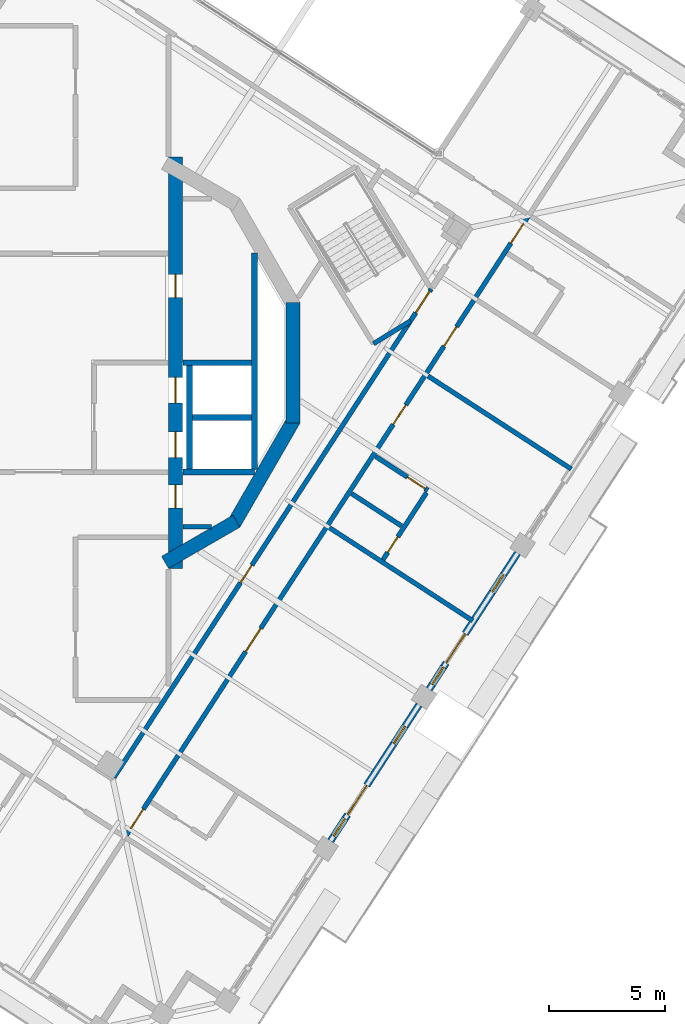
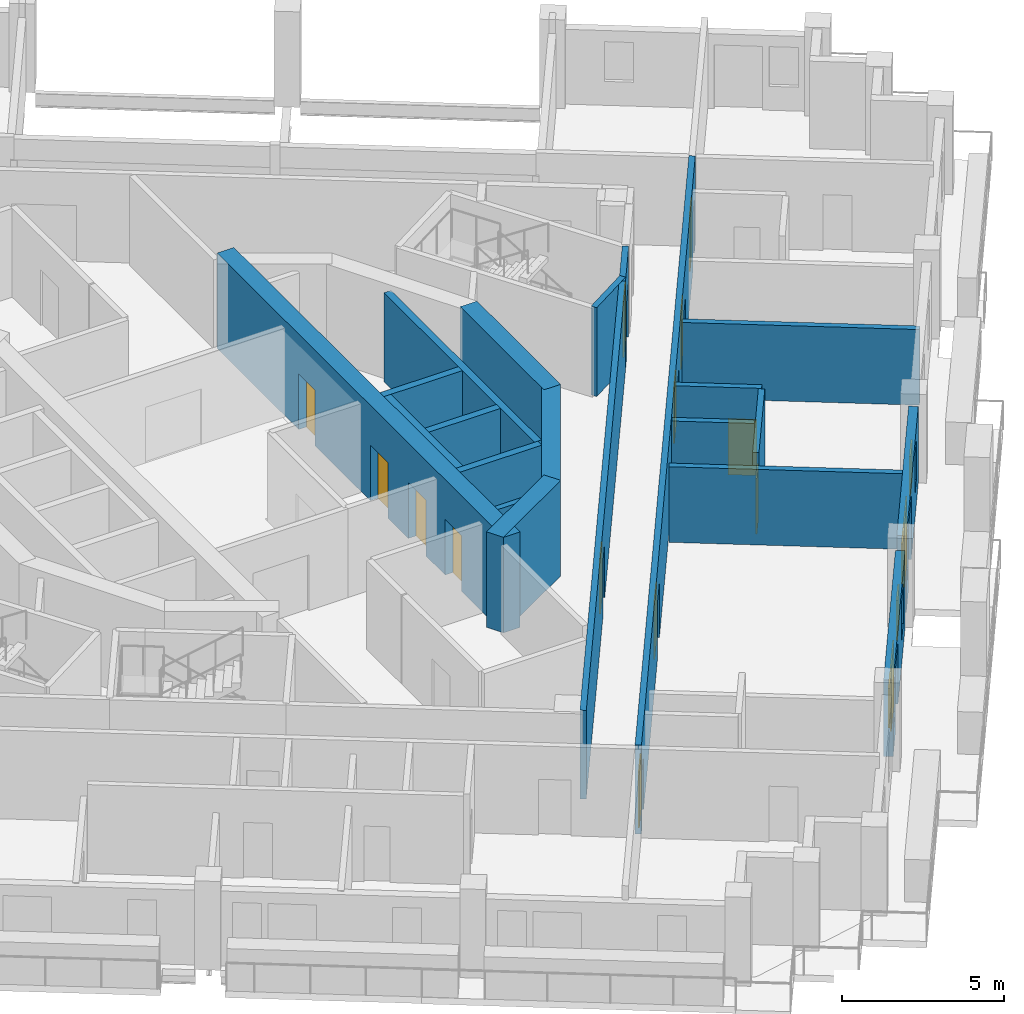
# One storey, part 8 of 17: 21 walls, 15 doors, 4 windows, 19 openings.
"""IFC4 building model written with IfcOpenShell, lengths in metres."""

from ifc_helpers import new_model, si_unit, direction, frame, frame_2d, origin, place, context, subcontext, project, spatial, rectangle, extrude, material, layer, layer_set, type_object, element, fill, save


model = new_model("IFC4")

# Units and contexts
model_context = context("Model", 3, precision=1e-05, world=origin(), true_north=direction((0.0, 1.0)))
body_context = subcontext(model_context, "Body", "Model", "MODEL_VIEW")
ifc_project = project(units=[si_unit("LENGTHUNIT", "METRE"), si_unit("AREAUNIT", "SQUARE_METRE"), si_unit("VOLUMEUNIT", "CUBIC_METRE"), si_unit("PLANEANGLEUNIT", "RADIAN"), si_unit("MASSUNIT", "GRAM", prefix="KILO")], contexts=[model_context])

# Site, building, storey
site_placement = place(None, origin())
site = spatial("IfcSite", under=ifc_project, at=site_placement, CompositionType="ELEMENT")
building_placement = place(site_placement, origin())
building = spatial("IfcBuilding", under=site, at=building_placement, Name="Cantera Rosa Tower", CompositionType="ELEMENT")
storey_placement = place(building_placement, frame((0.0, 0.0, 275.699951171875)))
storey = spatial("IfcBuildingStorey", under=building, at=storey_placement, Name="L62", CompositionType="ELEMENT", Elevation=275.699951171875)

# Wall, opening, door
ifc_material_1 = material(Name="Gypsum board partition")
ifc_layer_1 = layer(ifc_material_1, 0.199951171875)
ifc_layer_set_1 = layer_set([ifc_layer_1], Name="CORRIDOR WALL 200 H3350")
wall_type_1 = type_object("IfcWallType", Name="CORRIDOR WALL 200 H3350", PredefinedType="PARTITIONING", material=ifc_layer_set_1)
wall_1_placement = place(storey_placement, frame((1.656982421875, -17.828857421875, 0.0), z_axis=(0.0, 0.0, 1.0), x_axis=(0.544640309195, 0.838669740482, 0.0)))
wall_1 = element("IfcWall", 1, at=wall_1_placement, inside=storey, type_object=wall_type_1, Name="CORRIDOR WALL L62-063", PredefinedType="PARTITIONING", context=body_context, shape_type="SweptSolid", body=[
    extrude(rectangle(XDim=23.1552734375, YDim=0.199951171875, at=frame_2d((11.57763671875, 0.0))), origin(), (0.0, 0.0, 1.0), 3.35009765625),
])
opening_1_placement = place(wall_1_placement, frame((9.984619140625, 0.0, 0.0)))
opening_1 = element("IfcOpeningElement", 2, at=opening_1_placement, cuts=wall_1, Name="Opening L62-005", PredefinedType="OPENING", context=body_context, shape_type="SweptSolid", body=[
    extrude(rectangle(XDim=0.89990234375, YDim=2.10009765625, at=frame_2d((0.449951171875, 1.050048828125))), frame((0.0, 0.10986328125, 0.0), z_axis=(0.0, -1.0, 0.0), x_axis=(1.0, 0.0, 0.0)), (0.0, 0.0, 1.0), 0.219970703125),
])
ifc_material_2 = material(Name="Timber door leaf", Category="wood")
door_type_1 = type_object("IfcDoorType", Name="SERVICE DOOR 900x2100", OperationType="NOTDEFINED", PredefinedType="DOOR", material=ifc_material_2)
door_1_placement = place(opening_1_placement, origin())
door_1 = element("IfcDoor", 3, at=door_1_placement, inside=storey, type_object=door_type_1, Name="DOOR L62-005", OperationType="NOTDEFINED", OverallHeight=2.10009765625, OverallWidth=0.89990234375, PredefinedType="DOOR", context=body_context, shape_type="SweptSolid", body=[
    extrude(rectangle(XDim=0.89990234375, YDim=2.10009765625, at=frame_2d((0.449951171875, 1.050048828125))), frame((0.0, 0.02490234375, 0.0), z_axis=(0.0, -1.0, 0.0), x_axis=(1.0, 0.0, 0.0)), (0.0, 0.0, 1.0), 0.050048828125),
])
fill(opening_1, door_1)

# Wall, openings, doors
wall_2_placement = place(storey_placement, frame((2.197265625, -20.302001953125, 0.0), z_axis=(0.0, 0.0, 1.0), x_axis=(0.544636461061, 0.838672239485, 0.0)))
wall_2 = element("IfcWall", 4, at=wall_2_placement, inside=storey, type_object=wall_type_1, Name="CORRIDOR WALL L62-065", PredefinedType="PARTITIONING", context=body_context, shape_type="SweptSolid", body=[
    extrude(rectangle(XDim=31.780029296875, YDim=0.199951171875, at=frame_2d((15.89013671875, 0.0))), origin(), (0.0, 0.0, 1.0), 3.35009765625),
])
opening_2_placement = place(wall_2_placement, frame((9.39501953125, 0.0, 0.0)))
opening_2 = element("IfcOpeningElement", 5, at=opening_2_placement, cuts=wall_2, Name="Opening L62-040", PredefinedType="OPENING", context=body_context, shape_type="SweptSolid", body=[
    extrude(rectangle(XDim=1.199951171875, YDim=2.10009765625, at=frame_2d((0.60009765625, 1.050048828125))), frame((0.0, 0.10986328125, 0.0), z_axis=(0.0, -1.0, 0.0), x_axis=(1.0, 0.0, 0.0)), (0.0, 0.0, 1.0), 0.219970703125),
])
opening_3_placement = place(wall_2_placement, frame((21.044921875, 0.0, 0.0)))
opening_3 = element("IfcOpeningElement", 6, at=opening_3_placement, cuts=wall_2, Name="Opening L62-041", PredefinedType="OPENING", context=body_context, shape_type="SweptSolid", body=[
    extrude(rectangle(XDim=1.0, YDim=2.10009765625, at=frame_2d((0.5, 1.050048828125))), frame((0.0, 0.10986328125, 0.0), z_axis=(0.0, -1.0, 0.0), x_axis=(1.0, 0.0, 0.0)), (0.0, 0.0, 1.0), 0.219970703125),
])
opening_4_placement = place(wall_2_placement, frame((25.054931640625, 0.0, 0.0)))
opening_4 = element("IfcOpeningElement", 7, at=opening_4_placement, cuts=wall_2, Name="Opening L62-044", PredefinedType="OPENING", context=body_context, shape_type="SweptSolid", body=[
    extrude(rectangle(XDim=1.0, YDim=2.10009765625, at=frame_2d((0.5, 1.050048828125))), frame((0.0, 0.10986328125, 0.0), z_axis=(0.0, -1.0, 0.0), x_axis=(1.0, 0.0, 0.0)), (0.0, 0.0, 1.0), 0.219970703125),
])
opening_5_placement = place(wall_2_placement, frame((0.320068359375, 0.0, 0.0)))
opening_5 = element("IfcOpeningElement", 8, at=opening_5_placement, cuts=wall_2, Name="Opening L62-045", PredefinedType="OPENING", context=body_context, shape_type="SweptSolid", body=[
    extrude(rectangle(XDim=1.0, YDim=2.10009765625, at=frame_2d((0.5, 1.050048828125))), frame((0.0, 0.10986328125, 0.0), z_axis=(0.0, -1.0, 0.0), x_axis=(1.0, 0.0, 0.0)), (0.0, 0.0, 1.0), 0.219970703125),
])
opening_6_placement = place(wall_2_placement, frame((30.340087890625, 0.0, 0.0)))
opening_6 = element("IfcOpeningElement", 9, at=opening_6_placement, cuts=wall_2, Name="Opening L62-048", PredefinedType="OPENING", context=body_context, shape_type="SweptSolid", body=[
    extrude(rectangle(XDim=1.0, YDim=2.10009765625, at=frame_2d((0.5, 1.050048828125))), frame((0.0, 0.10986328125, 0.0), z_axis=(0.0, -1.0, 0.0), x_axis=(1.0, 0.0, 0.0)), (0.0, 0.0, 1.0), 0.219970703125),
])
ifc_material_3 = material(Name="Timber door leaf", Category="wood")
door_type_2 = type_object("IfcDoorType", Name="ENTRANCE DOOR 1000x2100", OperationType="NOTDEFINED", PredefinedType="DOOR", material=ifc_material_3)
door_2_placement = place(opening_3_placement, origin())
door_2 = element("IfcDoor", 10, at=door_2_placement, inside=storey, type_object=door_type_2, Name="DOOR L62-041", OperationType="NOTDEFINED", OverallHeight=2.10009765625, OverallWidth=1.0, PredefinedType="DOOR", context=body_context, shape_type="SweptSolid", body=[
    extrude(rectangle(XDim=1.0, YDim=2.10009765625, at=frame_2d((0.5, 1.050048828125))), frame((0.0, 0.02490234375, 0.0), z_axis=(0.0, -1.0, 0.0), x_axis=(1.0, 0.0, 0.0)), (0.0, 0.0, 1.0), 0.050048828125),
])
fill(opening_3, door_2)
door_3_placement = place(opening_5_placement, origin())
door_3 = element("IfcDoor", 11, at=door_3_placement, inside=storey, type_object=door_type_2, Name="DOOR L62-045", OperationType="NOTDEFINED", OverallHeight=2.10009765625, OverallWidth=1.0, PredefinedType="DOOR", context=body_context, shape_type="SweptSolid", body=[
    extrude(rectangle(XDim=1.0, YDim=2.10009765625, at=frame_2d((0.5, 1.050048828125))), frame((0.0, 0.02490234375, 0.0), z_axis=(0.0, -1.0, 0.0), x_axis=(1.0, 0.0, 0.0)), (0.0, 0.0, 1.0), 0.050048828125),
])
fill(opening_5, door_3)
door_4_placement = place(opening_6_placement, origin())
door_4 = element("IfcDoor", 12, at=door_4_placement, inside=storey, type_object=door_type_2, Name="DOOR L62-048", OperationType="NOTDEFINED", OverallHeight=2.10009765625, OverallWidth=1.0, PredefinedType="DOOR", context=body_context, shape_type="SweptSolid", body=[
    extrude(rectangle(XDim=1.0, YDim=2.10009765625, at=frame_2d((0.5, 1.050048828125))), frame((0.0, 0.02490234375, 0.0), z_axis=(0.0, -1.0, 0.0), x_axis=(1.0, 0.0, 0.0)), (0.0, 0.0, 1.0), 0.050048828125),
])
fill(opening_6, door_4)
ifc_material_4 = material(Name="Timber door leaf", Category="wood")
door_type_3 = type_object("IfcDoorType", Name="ROOM DOOR 1000x2100", OperationType="NOTDEFINED", PredefinedType="DOOR", material=ifc_material_4)
door_5_placement = place(opening_4_placement, origin())
door_5 = element("IfcDoor", 13, at=door_5_placement, inside=storey, type_object=door_type_3, Name="DOOR L62-044", OperationType="NOTDEFINED", OverallHeight=2.10009765625, OverallWidth=1.0, PredefinedType="DOOR", context=body_context, shape_type="SweptSolid", body=[
    extrude(rectangle(XDim=1.0, YDim=2.10009765625, at=frame_2d((0.5, 1.050048828125))), frame((0.0, 0.02490234375, 0.0), z_axis=(0.0, -1.0, 0.0), x_axis=(1.0, 0.0, 0.0)), (0.0, 0.0, 1.0), 0.050048828125),
])
fill(opening_4, door_5)
ifc_material_5 = material(Name="Timber door leaf", Category="wood")
door_type_4 = type_object("IfcDoorType", Name="ROOM DOOR 1200x2100", OperationType="NOTDEFINED", PredefinedType="DOOR", material=ifc_material_5)
door_6_placement = place(opening_2_placement, origin())
door_6 = element("IfcDoor", 14, at=door_6_placement, inside=storey, type_object=door_type_4, Name="DOOR L62-040", OperationType="NOTDEFINED", OverallHeight=2.10009765625, OverallWidth=1.199951171875, PredefinedType="DOOR", context=body_context, shape_type="SweptSolid", body=[
    extrude(rectangle(XDim=1.199951171875, YDim=2.10009765625, at=frame_2d((0.60009765625, 1.050048828125))), frame((0.0, 0.02490234375, 0.0), z_axis=(0.0, -1.0, 0.0), x_axis=(1.0, 0.0, 0.0)), (0.0, 0.0, 1.0), 0.050048828125),
])
fill(opening_2, door_6)

# Wall, openings, windows, door
ifc_material_6 = material(Name="Hollow clay masonry with cantera stone cladding", Category="masonry")
ifc_layer_2 = layer(ifc_material_6, 0.300048828125)
ifc_layer_set_2 = layer_set([ifc_layer_2], Name="EW-LOGGIA 300 H2890")
wall_type_2 = type_object("IfcWallType", Name="EW-LOGGIA 300 H2890", PredefinedType="SOLIDWALL", material=ifc_layer_set_2)
wall_3_placement = place(storey_placement, frame((10.970703125, -20.5625, 0.0), z_axis=(0.0, 0.0, 1.0), x_axis=(0.544651451949, 0.838662504164, 0.0)))
wall_3 = element("IfcWall", 15, at=wall_3_placement, inside=storey, type_object=wall_type_2, Name="EN-L62-W21", PredefinedType="SOLIDWALL", context=body_context, shape_type="SweptSolid", body=[
    extrude(rectangle(XDim=6.980224609375, YDim=0.300048828125, at=frame_2d((3.490234375, 0.0))), origin(), (0.0, 0.0, 1.0), 2.89013671875),
])
opening_7_placement = place(wall_3_placement, frame((0.2451171875, 0.0, 0.89990234375)))
opening_7 = element("IfcOpeningElement", 16, at=opening_7_placement, cuts=wall_3, Name="Opening L62-W37", PredefinedType="OPENING", context=body_context, shape_type="SweptSolid", body=[
    extrude(rectangle(XDim=0.89990234375, YDim=1.5, at=frame_2d((0.449951171875, 0.75))), frame((0.0, 0.159912109375, 0.0), z_axis=(0.0, -1.0, 0.0), x_axis=(1.0, 0.0, 0.0)), (0.0, 0.0, 1.0), 0.320068359375),
])
opening_8_placement = place(wall_3_placement, frame((1.344970703125, 0.0, 0.0)))
opening_8 = element("IfcOpeningElement", 17, at=opening_8_placement, cuts=wall_3, Name="Opening L62-TD38", PredefinedType="OPENING", context=body_context, shape_type="SweptSolid", body=[
    extrude(rectangle(XDim=1.5, YDim=2.39990234375, at=frame_2d((0.75, 1.199951171875))), frame((0.0, 0.159912109375, 0.0), z_axis=(0.0, -1.0, 0.0), x_axis=(1.0, 0.0, 0.0)), (0.0, 0.0, 1.0), 0.320068359375),
])
opening_9_placement = place(wall_3_placement, frame((4.985107421875, 0.0, 0.89990234375)))
opening_9 = element("IfcOpeningElement", 18, at=opening_9_placement, cuts=wall_3, Name="Opening L62-W39", PredefinedType="OPENING", context=body_context, shape_type="SweptSolid", body=[
    extrude(rectangle(XDim=0.89990234375, YDim=1.5, at=frame_2d((0.449951171875, 0.75))), frame((0.0, 0.159912109375, 0.0), z_axis=(0.0, -1.0, 0.0), x_axis=(1.0, 0.0, 0.0)), (0.0, 0.0, 1.0), 0.320068359375),
])
ifc_material_7 = material(Name="Aluminium frame with clear glass", Category="aluminium")
window_type = type_object("IfcWindowType", Name="Residential window 900x1500", PartitioningType="SINGLE_PANEL", PredefinedType="WINDOW", material=ifc_material_7)
window_1_placement = place(opening_7_placement, origin())
window_1 = element("IfcWindow", 19, at=window_1_placement, inside=storey, type_object=window_type, Name="WINDOW L62-W37", OverallHeight=1.5, OverallWidth=0.89990234375, PartitioningType="SINGLE_PANEL", PredefinedType="WINDOW", context=body_context, shape_type="SweptSolid", body=[
    extrude(rectangle(XDim=0.89990234375, YDim=1.5, at=frame_2d((0.449951171875, 0.75))), frame((0.0, 0.030029296875, 0.0), z_axis=(0.0, -1.0, 0.0), x_axis=(1.0, 0.0, 0.0)), (0.0, 0.0, 1.0), 0.06005859375),
])
fill(opening_7, window_1)
window_2_placement = place(opening_9_placement, origin())
window_2 = element("IfcWindow", 20, at=window_2_placement, inside=storey, type_object=window_type, Name="WINDOW L62-W39", OverallHeight=1.5, OverallWidth=0.89990234375, PartitioningType="SINGLE_PANEL", PredefinedType="WINDOW", context=body_context, shape_type="SweptSolid", body=[
    extrude(rectangle(XDim=0.89990234375, YDim=1.5, at=frame_2d((0.449951171875, 0.75))), frame((0.0, 0.030029296875, 0.0), z_axis=(0.0, -1.0, 0.0), x_axis=(1.0, 0.0, 0.0)), (0.0, 0.0, 1.0), 0.06005859375),
])
fill(opening_9, window_2)
ifc_material_8 = material(Name="Aluminium frame with clear glass", Category="aluminium")
door_type_5 = type_object("IfcDoorType", Name="TD-R 1500x2400", OperationType="NOTDEFINED", PredefinedType="DOOR", material=ifc_material_8)
door_7_placement = place(opening_8_placement, origin())
door_7 = element("IfcDoor", 21, at=door_7_placement, inside=storey, type_object=door_type_5, Name="LOGGIA DOOR L62-TD38", OperationType="SLIDING_TO_LEFT", OverallHeight=2.39990234375, OverallWidth=1.5, PredefinedType="DOOR", context=body_context, shape_type="SweptSolid", body=[
    extrude(rectangle(XDim=1.5, YDim=2.39990234375, at=frame_2d((0.75, 1.199951171875))), frame((0.0, 0.02490234375, 0.0), z_axis=(0.0, -1.0, 0.0), x_axis=(1.0, 0.0, 0.0)), (0.0, 0.0, 1.0), 0.050048828125),
])
fill(opening_8, door_7)

wall_4_placement = place(storey_placement, frame((15.2080078125, -14.03759765625, 0.0), z_axis=(0.0, 0.0, 1.0), x_axis=(0.544651451949, 0.838662504164, 0.0)))
wall_4 = element("IfcWall", 22, at=wall_4_placement, inside=storey, type_object=wall_type_2, Name="EN-L62-W22", PredefinedType="SOLIDWALL", context=body_context, shape_type="SweptSolid", body=[
    extrude(rectangle(XDim=6.980224609375, YDim=0.300048828125, at=frame_2d((3.490234375, 0.0))), origin(), (0.0, 0.0, 1.0), 2.89013671875),
])
opening_10_placement = place(wall_4_placement, frame((0.2451171875, 0.0, 0.89990234375)))
opening_10 = element("IfcOpeningElement", 23, at=opening_10_placement, cuts=wall_4, Name="Opening L62-W40", PredefinedType="OPENING", context=body_context, shape_type="SweptSolid", body=[
    extrude(rectangle(XDim=0.89990234375, YDim=1.5, at=frame_2d((0.449951171875, 0.75))), frame((0.0, 0.159912109375, 0.0), z_axis=(0.0, -1.0, 0.0), x_axis=(1.0, 0.0, 0.0)), (0.0, 0.0, 1.0), 0.320068359375),
])
opening_11_placement = place(wall_4_placement, frame((1.344970703125, 0.0, 0.0)))
opening_11 = element("IfcOpeningElement", 24, at=opening_11_placement, cuts=wall_4, Name="Opening L62-TD41", PredefinedType="OPENING", context=body_context, shape_type="SweptSolid", body=[
    extrude(rectangle(XDim=1.5, YDim=2.39990234375, at=frame_2d((0.75, 1.199951171875))), frame((0.0, 0.159912109375, 0.0), z_axis=(0.0, -1.0, 0.0), x_axis=(1.0, 0.0, 0.0)), (0.0, 0.0, 1.0), 0.320068359375),
])
opening_12_placement = place(wall_4_placement, frame((4.985107421875, 0.0, 0.89990234375)))
opening_12 = element("IfcOpeningElement", 25, at=opening_12_placement, cuts=wall_4, Name="Opening L62-W42", PredefinedType="OPENING", context=body_context, shape_type="SweptSolid", body=[
    extrude(rectangle(XDim=0.89990234375, YDim=1.5, at=frame_2d((0.449951171875, 0.75))), frame((0.0, 0.159912109375, 0.0), z_axis=(0.0, -1.0, 0.0), x_axis=(1.0, 0.0, 0.0)), (0.0, 0.0, 1.0), 0.320068359375),
])
window_3_placement = place(opening_10_placement, origin())
window_3 = element("IfcWindow", 26, at=window_3_placement, inside=storey, type_object=window_type, Name="WINDOW L62-W40", OverallHeight=1.5, OverallWidth=0.89990234375, PartitioningType="SINGLE_PANEL", PredefinedType="WINDOW", context=body_context, shape_type="SweptSolid", body=[
    extrude(rectangle(XDim=0.89990234375, YDim=1.5, at=frame_2d((0.449951171875, 0.75))), frame((0.0, 0.030029296875, 0.0), z_axis=(0.0, -1.0, 0.0), x_axis=(1.0, 0.0, 0.0)), (0.0, 0.0, 1.0), 0.06005859375),
])
fill(opening_10, window_3)
window_4_placement = place(opening_12_placement, origin())
window_4 = element("IfcWindow", 27, at=window_4_placement, inside=storey, type_object=window_type, Name="WINDOW L62-W42", OverallHeight=1.5, OverallWidth=0.89990234375, PartitioningType="SINGLE_PANEL", PredefinedType="WINDOW", context=body_context, shape_type="SweptSolid", body=[
    extrude(rectangle(XDim=0.89990234375, YDim=1.5, at=frame_2d((0.449951171875, 0.75))), frame((0.0, 0.030029296875, 0.0), z_axis=(0.0, -1.0, 0.0), x_axis=(1.0, 0.0, 0.0)), (0.0, 0.0, 1.0), 0.06005859375),
])
fill(opening_12, window_4)
door_8_placement = place(opening_11_placement, origin())
door_8 = element("IfcDoor", 28, at=door_8_placement, inside=storey, type_object=door_type_5, Name="LOGGIA DOOR L62-TD41", OperationType="SLIDING_TO_LEFT", OverallHeight=2.39990234375, OverallWidth=1.5, PredefinedType="DOOR", context=body_context, shape_type="SweptSolid", body=[
    extrude(rectangle(XDim=1.5, YDim=2.39990234375, at=frame_2d((0.75, 1.199951171875))), frame((0.0, 0.02490234375, 0.0), z_axis=(0.0, -1.0, 0.0), x_axis=(1.0, 0.0, 0.0)), (0.0, 0.0, 1.0), 0.050048828125),
])
fill(opening_11, door_8)

# Walls
ifc_material_9 = material(Name="Gypsum board partition")
ifc_layer_3 = layer(ifc_material_9, 0.199951171875)
ifc_layer_set_3 = layer_set([ifc_layer_3], Name="PARTITION 200 H3350")
wall_type_3 = type_object("IfcWallType", Name="PARTITION 200 H3350", PredefinedType="PARTITIONING", material=ifc_layer_set_3)
wall_5_placement = place(storey_placement, frame((5.84765625, -7.050048828125, 0.0), z_axis=(0.0, 0.0, 1.0), x_axis=(-1.0, 0.0, 0.0)))
element("IfcWall", 29, at=wall_5_placement, inside=storey, type_object=wall_type_3, Name="PARTITION L62-074", PredefinedType="PARTITIONING", context=body_context, shape_type="SweptSolid", body=[
    extrude(rectangle(XDim=1.2177734375, YDim=0.199951171875, at=frame_2d((0.60888671875, 0.0))), origin(), (0.0, 0.0, 1.0), 3.35009765625),
])
wall_6_placement = place(storey_placement, frame((11.87255859375, -5.62353515625, 0.0), z_axis=(0.0, 0.0, 1.0), x_axis=(0.838665792468, -0.544646388536, 0.0)))
element("IfcWall", 30, at=wall_6_placement, inside=storey, type_object=wall_type_3, Name="PARTITION L62-084", PredefinedType="PARTITIONING", context=body_context, shape_type="SweptSolid", body=[
    extrude(rectangle(XDim=2.56005859375, YDim=0.199951171875, at=frame_2d((1.280029296875, 0.0))), origin(), (0.0, 0.0, 1.0), 3.35009765625),
])

# Wall, opening, door
wall_7_placement = place(storey_placement, frame((12.907470703125, -4.030029296875, 0.0), z_axis=(0.0, 0.0, 1.0), x_axis=(0.838647527281, -0.544674512884, 0.0)))
wall_7 = element("IfcWall", 31, at=wall_7_placement, inside=storey, type_object=wall_type_3, Name="PARTITION L62-087", PredefinedType="PARTITIONING", context=body_context, shape_type="SweptSolid", body=[
    extrude(rectangle(XDim=2.679931640625, YDim=0.199951171875, at=frame_2d((1.33984375, 0.0))), origin(), (0.0, 0.0, 1.0), 3.35009765625),
])
opening_13_placement = place(wall_7_placement, frame((1.6298828125, 0.0, 0.0)))
opening_13 = element("IfcOpeningElement", 32, at=opening_13_placement, cuts=wall_7, Name="Opening L62-043", PredefinedType="OPENING", context=body_context, shape_type="SweptSolid", body=[
    extrude(rectangle(XDim=0.89990234375, YDim=2.10009765625, at=frame_2d((0.449951171875, 1.050048828125))), frame((0.0, 0.10986328125, 0.0), z_axis=(0.0, -1.0, 0.0), x_axis=(1.0, 0.0, 0.0)), (0.0, 0.0, 1.0), 0.219970703125),
])
ifc_material_10 = material(Name="Timber door leaf", Category="wood")
door_type_6 = type_object("IfcDoorType", Name="ROOM DOOR 900x2100", OperationType="NOTDEFINED", PredefinedType="DOOR", material=ifc_material_10)
door_9_placement = place(opening_13_placement, origin())
door_9 = element("IfcDoor", 33, at=door_9_placement, inside=storey, type_object=door_type_6, Name="DOOR L62-043", OperationType="NOTDEFINED", OverallHeight=2.10009765625, OverallWidth=0.89990234375, PredefinedType="DOOR", context=body_context, shape_type="SweptSolid", body=[
    extrude(rectangle(XDim=0.89990234375, YDim=2.10009765625, at=frame_2d((0.449951171875, 1.050048828125))), frame((0.0, 0.02490234375, 0.0), z_axis=(0.0, -1.0, 0.0), x_axis=(1.0, 0.0, 0.0)), (0.0, 0.0, 1.0), 0.050048828125),
])
fill(opening_13, door_9)

wall_8_placement = place(storey_placement, frame((15.089599609375, -5.59033203125, 0.0), z_axis=(0.0, 0.0, 1.0), x_axis=(-0.544590487493, -0.838702093077, 0.0)))
wall_8 = element("IfcWall", 34, at=wall_8_placement, inside=storey, type_object=wall_type_3, Name="PARTITION L62-092", PredefinedType="PARTITIONING", context=body_context, shape_type="SweptSolid", body=[
    extrude(rectangle(XDim=3.429931640625, YDim=0.199951171875, at=frame_2d((1.71484375, 0.0))), origin(), (0.0, 0.0, 1.0), 3.35009765625),
])
opening_14_placement = place(wall_8_placement, frame((2.2548828125, 0.0, 0.0)))
opening_14 = element("IfcOpeningElement", 35, at=opening_14_placement, cuts=wall_8, Name="Opening L62-042", PredefinedType="OPENING", context=body_context, shape_type="SweptSolid", body=[
    extrude(rectangle(XDim=0.800048828125, YDim=2.10009765625, at=frame_2d((0.39990234375, 1.050048828125))), frame((0.0, 0.10986328125, 0.0), z_axis=(0.0, -1.0, 0.0), x_axis=(1.0, 0.0, 0.0)), (0.0, 0.0, 1.0), 0.219970703125),
])
ifc_material_11 = material(Name="Timber door leaf", Category="wood")
door_type_7 = type_object("IfcDoorType", Name="BATHROOM DOOR 800x2100", OperationType="NOTDEFINED", PredefinedType="DOOR", material=ifc_material_11)
door_10_placement = place(opening_14_placement, origin())
door_10 = element("IfcDoor", 36, at=door_10_placement, inside=storey, type_object=door_type_7, Name="DOOR L62-042", OperationType="NOTDEFINED", OverallHeight=2.10009765625, OverallWidth=0.800048828125, PredefinedType="DOOR", context=body_context, shape_type="SweptSolid", body=[
    extrude(rectangle(XDim=0.800048828125, YDim=2.10009765625, at=frame_2d((0.39990234375, 1.050048828125))), frame((0.0, 0.02490234375, 0.0), z_axis=(0.0, -1.0, 0.0), x_axis=(1.0, 0.0, 0.0)), (0.0, 0.0, 1.0), 0.050048828125),
])
fill(opening_14, door_10)

# Walls
ifc_material_12 = material(Name="Gypsum board partition")
ifc_layer_4 = layer(ifc_material_12, 0.199951171875)
ifc_layer_set_4 = layer_set([ifc_layer_4], Name="PARTY WALL 200 H2850")
wall_type_4 = type_object("IfcWallType", Name="PARTY WALL 200 H2850", PredefinedType="PARTITIONING", material=ifc_layer_set_4)
for number, where, z_axis, x_axis, name in (
    (37, (10.91943359375, -7.09130859375, 0.0), (0.0, 0.0, 1.0), (0.838684106336, -0.544618187155, 0.0), "PARTY WALL L62-083"),
    (38, (15.15673828125, -0.56640625, 0.0), (0.0, 0.0, 1.0), (0.838684106336, -0.544618187155, 0.0), "PARTY WALL L62-091"),
):
    element("IfcWall", number, at=place(storey_placement, frame(where, z_axis=z_axis, x_axis=x_axis)), inside=storey, type_object=wall_type_4, Name=name, PredefinedType="PARTITIONING", context=body_context, shape_type="SweptSolid", body=[
        extrude(rectangle(XDim=7.349853515625, YDim=0.199951171875, at=frame_2d((3.6748046875, 0.0))), origin(), (0.0, 0.0, 1.0), 2.85009765625),
    ])
ifc_material_13 = material(Name="Concrete C50/60", Category="concrete")
ifc_layer_5 = layer(ifc_material_13, 0.60009765625)
ifc_layer_set_5 = layer_set([ifc_layer_5], Name="RC CORE WALL 600 C50/60")
wall_type_5 = type_object("IfcWallType", Name="RC CORE WALL 600 C50/60", PredefinedType="SHEAR", material=ifc_layer_set_5)
for number, where, z_axis, x_axis, name in (
    (39, (9.359375, 2.588134765625, 0.0), (0.0, 0.0, 1.0), (0.0, -1.0, 0.0), "CW-E3 L62"),
    (40, (9.3994140625, -2.438232421875, 0.0), (0.0, 0.0, 1.0), (-0.499989188378, -0.866031645787, 0.0), "CW-E4 L62"),
):
    element("IfcWall", number, at=place(storey_placement, frame(where, z_axis=z_axis, x_axis=x_axis)), inside=storey, type_object=wall_type_5, Name=name, PredefinedType="SHEAR", context=body_context, shape_type="SweptSolid", body=[
        extrude(rectangle(XDim=5.17626953125, YDim=0.60009765625, at=frame_2d((2.588134765625, 0.0))), origin(), (0.0, 0.0, 1.0), 3.60009765625),
    ])
wall_9_placement = place(storey_placement, frame((6.921142578125, -6.811279296875, 0.0), z_axis=(0.0, 0.0, 1.0), x_axis=(-0.866039982607, -0.499974747889, 0.0)))
element("IfcWall", 41, at=wall_9_placement, inside=storey, type_object=wall_type_5, Name="CW-E5 L62", PredefinedType="SHEAR", context=body_context, shape_type="SweptSolid", body=[
    extrude(rectangle(XDim=3.546142578125, YDim=0.60009765625, at=frame_2d((1.77294921875, 0.0))), origin(), (0.0, 0.0, 1.0), 3.60009765625),
])

# Wall, openings, doors
wall_10_placement = place(storey_placement, frame((4.300048828125, -8.84423828125, 0.0), z_axis=(0.0, 0.0, 1.0), x_axis=(0.0, 1.0, 0.0)))
wall_10 = element("IfcWall", 42, at=wall_10_placement, inside=storey, type_object=wall_type_5, Name="CW-E6 L62", PredefinedType="SHEAR", context=body_context, shape_type="SweptSolid", body=[
    extrude(rectangle(XDim=17.6884765625, YDim=0.60009765625, at=frame_2d((8.84423828125, 0.0))), origin(), (0.0, 0.0, 1.0), 3.60009765625),
])
opening_15_placement = place(wall_10_placement, frame((4.76904296875, 0.0, 0.0)))
opening_15 = element("IfcOpeningElement", 43, at=opening_15_placement, cuts=wall_10, Name="Opening LD-FF1-L62", PredefinedType="OPENING", context=body_context, shape_type="SweptSolid", body=[
    extrude(rectangle(XDim=1.10009765625, YDim=2.10009765625, at=frame_2d((0.550048828125, 1.050048828125))), frame((0.0, 0.31005859375, 0.0), z_axis=(0.0, -1.0, 0.0), x_axis=(1.0, 0.0, 0.0)), (0.0, 0.0, 1.0), 0.6201171875),
])
opening_16_placement = place(wall_10_placement, frame((7.119140625, 0.0, 0.0)))
opening_16 = element("IfcOpeningElement", 44, at=opening_16_placement, cuts=wall_10, Name="Opening LD-FF2-L62", PredefinedType="OPENING", context=body_context, shape_type="SweptSolid", body=[
    extrude(rectangle(XDim=1.10009765625, YDim=2.10009765625, at=frame_2d((0.550048828125, 1.050048828125))), frame((0.0, 0.31005859375, 0.0), z_axis=(0.0, -1.0, 0.0), x_axis=(1.0, 0.0, 0.0)), (0.0, 0.0, 1.0), 0.6201171875),
])
opening_17_placement = place(wall_10_placement, frame((2.5966796875, 0.0, 0.0)))
opening_17 = element("IfcOpeningElement", 45, at=opening_17_placement, cuts=wall_10, Name="Opening SD-L62-18", PredefinedType="OPENING", context=body_context, shape_type="SweptSolid", body=[
    extrude(rectangle(XDim=1.0, YDim=2.10009765625, at=frame_2d((0.5, 1.050048828125))), frame((0.0, 0.31005859375, 0.0), z_axis=(0.0, -1.0, 0.0), x_axis=(1.0, 0.0, 0.0)), (0.0, 0.0, 1.0), 0.6201171875),
])
opening_18_placement = place(wall_10_placement, frame((11.6494140625, 0.0, 0.0)))
opening_18 = element("IfcOpeningElement", 46, at=opening_18_placement, cuts=wall_10, Name="Opening SD-L62-19", PredefinedType="OPENING", context=body_context, shape_type="SweptSolid", body=[
    extrude(rectangle(XDim=1.0, YDim=2.10009765625, at=frame_2d((0.5, 1.050048828125))), frame((0.0, 0.31005859375, 0.0), z_axis=(0.0, -1.0, 0.0), x_axis=(1.0, 0.0, 0.0)), (0.0, 0.0, 1.0), 0.6201171875),
])
ifc_material_14 = material(Name="Steel S355J2 (EN 10025-2)", Category="steel")
door_type_8 = type_object("IfcDoorType", Name="LANDING DOOR 1100x2100", OperationType="NOTDEFINED", PredefinedType="DOOR", material=ifc_material_14)
door_11_placement = place(opening_15_placement, origin())
door_11 = element("IfcDoor", 47, at=door_11_placement, inside=storey, type_object=door_type_8, Name="LANDING DOOR FF1 L62", OperationType="SLIDING_TO_LEFT", OverallHeight=2.10009765625, OverallWidth=1.10009765625, PredefinedType="DOOR", context=body_context, shape_type="SweptSolid", body=[
    extrude(rectangle(XDim=1.10009765625, YDim=2.10009765625, at=frame_2d((0.550048828125, 1.050048828125))), frame((0.0, 0.02490234375, 0.0), z_axis=(0.0, -1.0, 0.0), x_axis=(1.0, 0.0, 0.0)), (0.0, 0.0, 1.0), 0.050048828125),
])
fill(opening_15, door_11)
door_12_placement = place(opening_16_placement, origin())
door_12 = element("IfcDoor", 48, at=door_12_placement, inside=storey, type_object=door_type_8, Name="LANDING DOOR FF2 L62", OperationType="SLIDING_TO_LEFT", OverallHeight=2.10009765625, OverallWidth=1.10009765625, PredefinedType="DOOR", context=body_context, shape_type="SweptSolid", body=[
    extrude(rectangle(XDim=1.10009765625, YDim=2.10009765625, at=frame_2d((0.550048828125, 1.050048828125))), frame((0.0, 0.02490234375, 0.0), z_axis=(0.0, -1.0, 0.0), x_axis=(1.0, 0.0, 0.0)), (0.0, 0.0, 1.0), 0.050048828125),
])
fill(opening_16, door_12)
ifc_material_15 = material(Name="Timber door leaf", Category="wood")
door_type_9 = type_object("IfcDoorType", Name="SERVICE DOOR 1000x2100", OperationType="NOTDEFINED", PredefinedType="DOOR", material=ifc_material_15)
door_13_placement = place(opening_17_placement, origin())
door_13 = element("IfcDoor", 49, at=door_13_placement, inside=storey, type_object=door_type_9, Name="DOOR L62-SD18", OperationType="NOTDEFINED", OverallHeight=2.10009765625, OverallWidth=1.0, PredefinedType="DOOR", context=body_context, shape_type="SweptSolid", body=[
    extrude(rectangle(XDim=1.0, YDim=2.10009765625, at=frame_2d((0.5, 1.050048828125))), frame((0.0, 0.02490234375, 0.0), z_axis=(0.0, -1.0, 0.0), x_axis=(1.0, 0.0, 0.0)), (0.0, 0.0, 1.0), 0.050048828125),
])
fill(opening_17, door_13)
door_14_placement = place(opening_18_placement, origin())
door_14 = element("IfcDoor", 50, at=door_14_placement, inside=storey, type_object=door_type_9, Name="DOOR L62-SD19", OperationType="NOTDEFINED", OverallHeight=2.10009765625, OverallWidth=1.0, PredefinedType="DOOR", context=body_context, shape_type="SweptSolid", body=[
    extrude(rectangle(XDim=1.0, YDim=2.10009765625, at=frame_2d((0.5, 1.050048828125))), frame((0.0, 0.02490234375, 0.0), z_axis=(0.0, -1.0, 0.0), x_axis=(1.0, 0.0, 0.0)), (0.0, 0.0, 1.0), 0.050048828125),
])
fill(opening_18, door_14)

# Walls
ifc_material_16 = material(Name="Masonry blockwork", Category="masonry")
ifc_layer_6 = layer(ifc_material_16, 0.25)
ifc_layer_set_6 = layer_set([ifc_layer_6], Name="SHAFT WALL 250 H3350")
wall_type_6 = type_object("IfcWallType", Name="SHAFT WALL 250 H3350", PredefinedType="SOLIDWALL", material=ifc_layer_set_6)
wall_11_placement = place(storey_placement, frame((4.6298828125, 0.0, 0.0), z_axis=(0.0, 0.0, 1.0), x_axis=(1.0, 0.0, 0.0)))
element("IfcWall", 51, at=wall_11_placement, inside=storey, type_object=wall_type_6, Name="SHAFT WALL L62-070", PredefinedType="SOLIDWALL", context=body_context, shape_type="SweptSolid", body=[
    extrude(rectangle(XDim=2.945068359375, YDim=0.25, at=frame_2d((1.47265625, 0.0))), origin(), (0.0, 0.0, 1.0), 3.35009765625),
])
wall_12_placement = place(storey_placement, frame((4.89990234375, -0.125, 0.0), z_axis=(0.0, 0.0, 1.0), x_axis=(0.0, -1.0, 0.0)))
element("IfcWall", 52, at=wall_12_placement, inside=storey, type_object=wall_type_6, Name="SHAFT WALL L62-072", PredefinedType="SOLIDWALL", context=body_context, shape_type="SweptSolid", body=[
    extrude(rectangle(XDim=4.449951171875, YDim=0.25, at=frame_2d((2.22509765625, 0.0))), origin(), (0.0, 0.0, 1.0), 3.35009765625),
])
wall_13_placement = place(storey_placement, frame((7.699951171875, -4.699951171875, 0.0), z_axis=(0.0, 0.0, 1.0), x_axis=(-1.0, 0.0, 0.0)))
element("IfcWall", 53, at=wall_13_placement, inside=storey, type_object=wall_type_6, Name="SHAFT WALL L62-077", PredefinedType="SOLIDWALL", context=body_context, shape_type="SweptSolid", body=[
    extrude(rectangle(XDim=3.070068359375, YDim=0.25, at=frame_2d((1.53515625, 0.0))), origin(), (0.0, 0.0, 1.0), 3.35009765625),
])
wall_14_placement = place(storey_placement, frame((7.699951171875, -4.580078125, 0.0), z_axis=(0.0, 0.0, 1.0), x_axis=(0.0, 1.0, 0.0)))
element("IfcWall", 54, at=wall_14_placement, inside=storey, type_object=wall_type_6, Name="SHAFT WALL L62-078", PredefinedType="SOLIDWALL", context=body_context, shape_type="SweptSolid", body=[
    extrude(rectangle(XDim=9.3017578125, YDim=0.25, at=frame_2d((4.65087890625, 0.0))), origin(), (0.0, 0.0, 1.0), 3.35009765625),
])
wall_15_placement = place(storey_placement, frame((7.574951171875, -2.35009765625, 0.0), z_axis=(0.0, 0.0, 1.0), x_axis=(-1.0, 0.0, 0.0)))
element("IfcWall", 55, at=wall_15_placement, inside=storey, type_object=wall_type_6, Name="SHAFT WALL L62-079", PredefinedType="SOLIDWALL", context=body_context, shape_type="SweptSolid", body=[
    extrude(rectangle(XDim=2.554931640625, YDim=0.25, at=frame_2d((1.27734375, 0.0))), origin(), (0.0, 0.0, 1.0), 3.35009765625),
])
ifc_material_17 = material(Name="Concrete C50/60", Category="concrete")
ifc_layer_7 = layer(ifc_material_17, 0.199951171875)
ifc_layer_set_7 = layer_set([ifc_layer_7], Name="STAIR WALL 200 H3350")
wall_type_7 = type_object("IfcWallType", Name="STAIR WALL 200 H3350", PredefinedType="SOLIDWALL", material=ifc_layer_set_7)
wall_16_placement = place(storey_placement, frame((12.811279296875, 0.818359375, 0.0), z_axis=(0.0, 0.0, 1.0), x_axis=(0.851125244186, 0.524962683158, 0.0)))
element("IfcWall", 56, at=wall_16_placement, inside=storey, type_object=wall_type_7, Name="STAIR WALL L62-088", PredefinedType="SOLIDWALL", context=body_context, shape_type="SweptSolid", body=[
    extrude(rectangle(XDim=1.872802734375, YDim=0.199951171875, at=frame_2d((0.9365234375, 0.0))), origin(), (0.0, 0.0, 1.0), 3.35009765625),
])

# Wall, opening, door
wall_17_placement = place(storey_placement, frame((14.268310546875, 1.5908203125, 0.0), z_axis=(0.0, 0.0, 1.0), x_axis=(0.544651565877, 0.838662430176, 0.0)))
wall_17 = element("IfcWall", 57, at=wall_17_placement, inside=storey, type_object=wall_type_7, Name="STAIR WALL L62-090", PredefinedType="SOLIDWALL", context=body_context, shape_type="SweptSolid", body=[
    extrude(rectangle(XDim=1.8857421875, YDim=0.199951171875, at=frame_2d((0.94287109375, 0.0))), origin(), (0.0, 0.0, 1.0), 3.35009765625),
])
opening_19_placement = place(wall_17_placement, frame((0.6689453125, 0.0, 0.0)))
opening_19 = element("IfcOpeningElement", 58, at=opening_19_placement, cuts=wall_17, Name="Opening L62-001", PredefinedType="OPENING", context=body_context, shape_type="SweptSolid", body=[
    extrude(rectangle(XDim=1.10009765625, YDim=2.10009765625, at=frame_2d((0.550048828125, 1.050048828125))), frame((0.0, 0.10986328125, 0.0), z_axis=(0.0, -1.0, 0.0), x_axis=(1.0, 0.0, 0.0)), (0.0, 0.0, 1.0), 0.219970703125),
])
ifc_material_18 = material(Name="Steel S355J2 (EN 10025-2)", Category="steel")
door_type_10 = type_object("IfcDoorType", Name="STAIR DOOR 1100x2100", OperationType="NOTDEFINED", PredefinedType="DOOR", material=ifc_material_18)
door_15_placement = place(opening_19_placement, origin())
door_15 = element("IfcDoor", 59, at=door_15_placement, inside=storey, type_object=door_type_10, Name="DOOR L62-001", OperationType="NOTDEFINED", OverallHeight=2.10009765625, OverallWidth=1.10009765625, PredefinedType="DOOR", context=body_context, shape_type="SweptSolid", body=[
    extrude(rectangle(XDim=1.10009765625, YDim=2.10009765625, at=frame_2d((0.550048828125, 1.050048828125))), frame((0.0, 0.02490234375, 0.0), z_axis=(0.0, -1.0, 0.0), x_axis=(1.0, 0.0, 0.0)), (0.0, 0.0, 1.0), 0.050048828125),
])
fill(opening_19, door_15)

save(model, "model.ifc")
